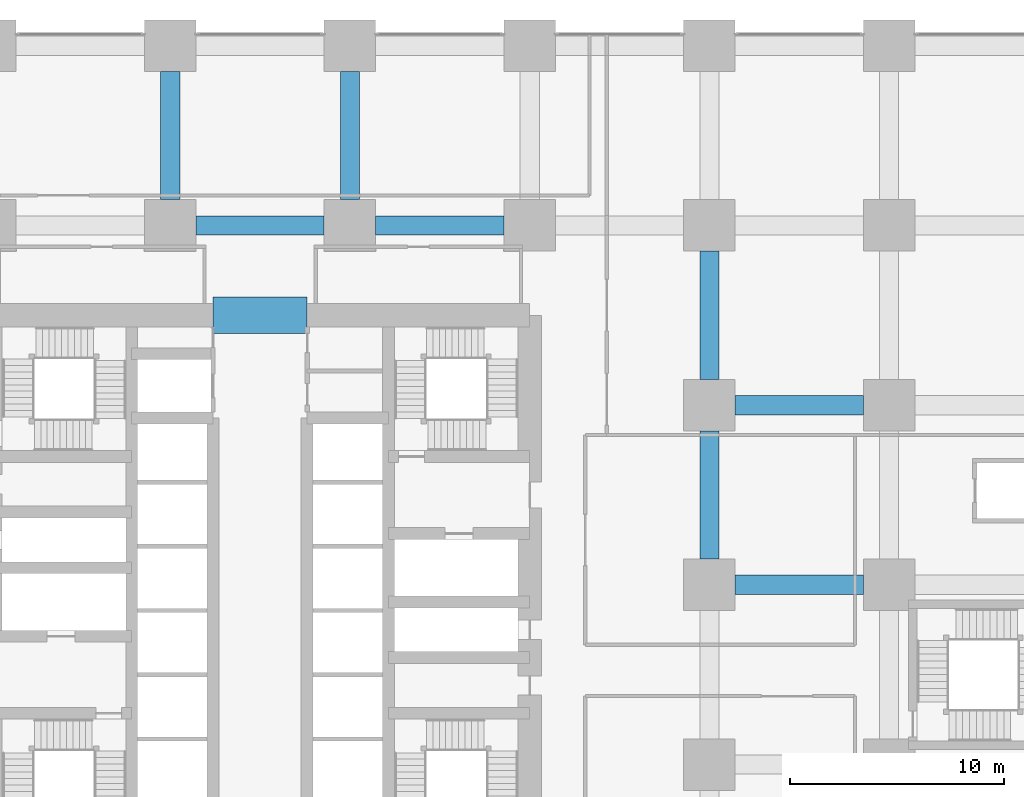
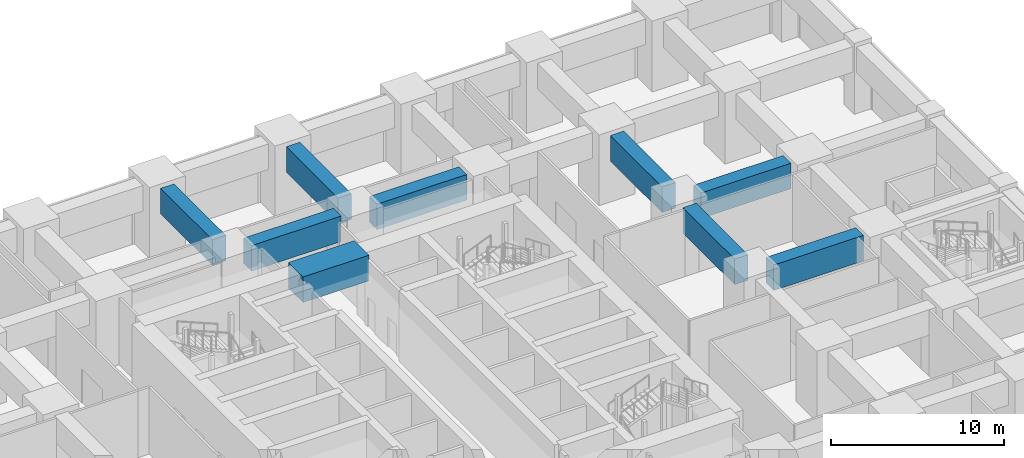
# One storey, part 26 of 49: 9 beams.
"""IFC4 building model written with IfcOpenShell, lengths in metres."""

from ifc_helpers import new_model, si_unit, direction, frame, origin, origin_2d, place, context, subcontext, project, spatial, rectangle, extrude, material, material_profile, profile_set, type_object, element, save


model = new_model("IFC4")

# Units and contexts
model_context = context("Model", 3, precision=1e-05, world=origin(), true_north=direction((0.0, 1.0)))
body_context = subcontext(model_context, "Body", "Model", "MODEL_VIEW")
ifc_project = project(units=[si_unit("LENGTHUNIT", "METRE"), si_unit("AREAUNIT", "SQUARE_METRE"), si_unit("VOLUMEUNIT", "CUBIC_METRE"), si_unit("PLANEANGLEUNIT", "RADIAN"), si_unit("MASSUNIT", "GRAM", prefix="KILO")], contexts=[model_context])

# Site, building, storey
site_placement = place(None, origin())
site = spatial("IfcSite", under=ifc_project, at=site_placement, CompositionType="ELEMENT")
building_placement = place(site_placement, origin())
building = spatial("IfcBuilding", under=site, at=building_placement, Name="Rekha Terrace Tower", CompositionType="ELEMENT")
storey_placement = place(building_placement, frame((0.0, 0.0, 10.39990234375)))
storey = spatial("IfcBuildingStorey", under=building, at=storey_placement, Name="L02", CompositionType="ELEMENT", Elevation=10.39990234375)

# Beams
ifc_material_1 = material(Name="Concrete M60", Category="concrete")
ifc_material_profile_1 = material_profile(ifc_material_1, rectangle(XDim=0.89990234375, YDim=1.800048828125, at=origin_2d()), Name="RC 900x1800")
ifc_profile_set_1 = profile_set([ifc_material_profile_1], Name="Concrete M60")
beam_type_1 = type_object("IfcBeamType", Name="G1 900x1800 podium floor beam", PredefinedType="BEAM", material=ifc_profile_set_1)
for number, where, z_axis, x_axis, name in (
    (1, (34.800048828125, 50.39990234375, 3.800048828125), (1.0, 0.0, 0.0), (0.0, 1.0, 0.0), "Beam G1 5G-6G under L03"),
    (2, (33.60009765625, 51.60009765625, 3.800048828125), (0.0, 1.0, 0.0), (-1.0, 0.0, 0.0), "Beam G1 5G-5H under L03"),
    (3, (43.199951171875, 50.39990234375, 3.800048828125), (1.0, 0.0, 0.0), (0.0, 1.0, 0.0), "Beam G1 6G-7G under L03"),
    (4, (42.0, 51.60009765625, 3.800048828125), (0.0, 1.0, 0.0), (-1.0, 0.0, 0.0), "Beam G1 6G-6H under L03"),
    (5, (60.0, 33.60009765625, 3.800048828125), (1.0, 0.0, 0.0), (0.0, 1.0, 0.0), "Beam G1 8E-9E under L03"),
    (6, (58.800048828125, 34.800048828125, 3.800048828125), (0.0, 1.0, 0.0), (-1.0, 0.0, 0.0), "Beam G1 8E-8F under L03"),
    (7, (60.0, 42.0, 3.800048828125), (1.0, 0.0, 0.0), (0.0, 1.0, 0.0), "Beam G1 8F-9F under L03"),
    (8, (58.800048828125, 43.199951171875, 3.800048828125), (0.0, 1.0, 0.0), (-1.0, 0.0, 0.0), "Beam G1 8F-8G under L03"),
):
    element("IfcBeam", number, at=place(storey_placement, frame(where, z_axis=z_axis, x_axis=x_axis)), inside=storey, type_object=beam_type_1, Name=name, PredefinedType="BEAM", context=body_context, shape_type="SweptSolid", body=[
        extrude(rectangle(XDim=0.89990234375, YDim=1.800048828125, at=origin_2d()), origin(), (0.0, 0.0, 1.0), 6.0),
    ])
ifc_material_2 = material(Name="Concrete M70", Category="concrete")
ifc_material_profile_2 = material_profile(ifc_material_2, rectangle(XDim=1.699951171875, YDim=1.800048828125, at=origin_2d()), Name="RC 1700x1800")
ifc_profile_set_2 = profile_set([ifc_material_profile_2], Name="Concrete M70")
beam_type_2 = type_object("IfcBeamType", Name="LB1B 1700x1800 diagonally reinforced coupling beam", PredefinedType="LINTEL", material=ifc_profile_set_2)
beam_placement = place(storey_placement, frame((35.60009765625, 46.199951171875, 4.10009765625), z_axis=(1.0, 0.0, 0.0), x_axis=(0.0, 1.0, 0.0)))
element("IfcBeam", 9, at=beam_placement, inside=storey, type_object=beam_type_2, Name="Coupling beam LB1B N L02", PredefinedType="LINTEL", context=body_context, shape_type="SweptSolid", body=[
    extrude(rectangle(XDim=1.699951171875, YDim=1.800048828125, at=origin_2d()), origin(), (0.0, 0.0, 1.0), 4.39990234375),
])

save(model, "model.ifc")
